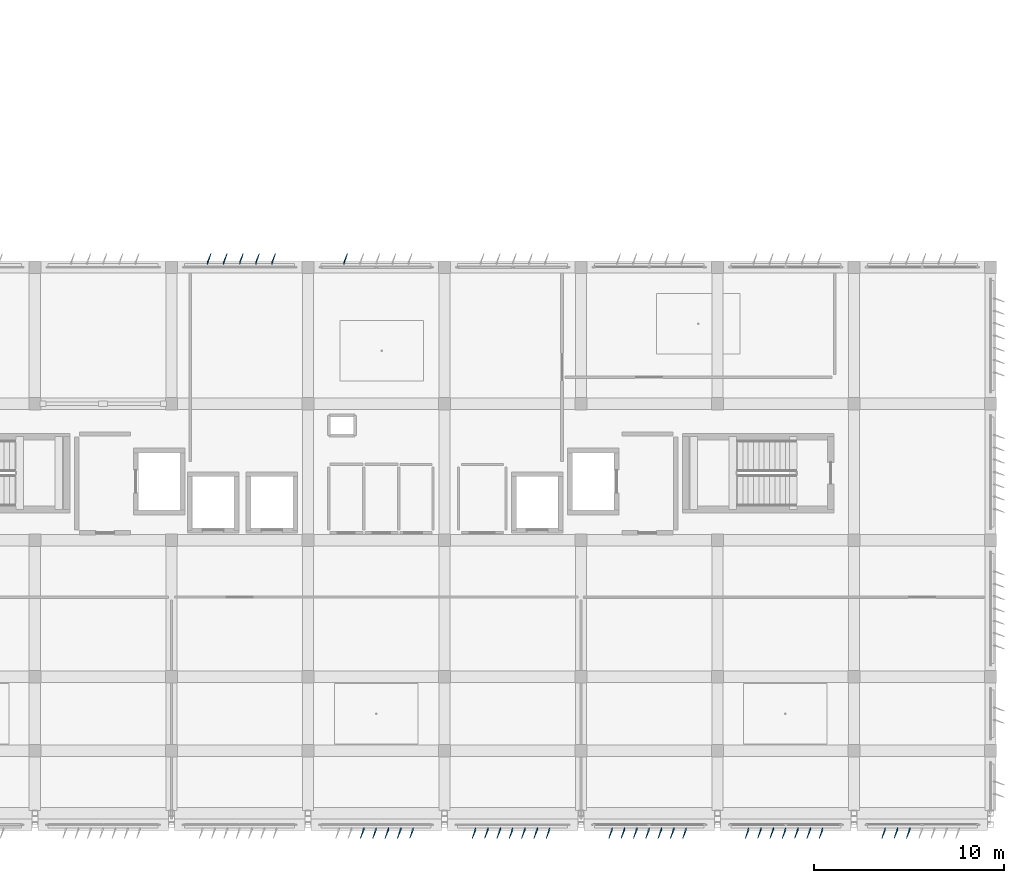
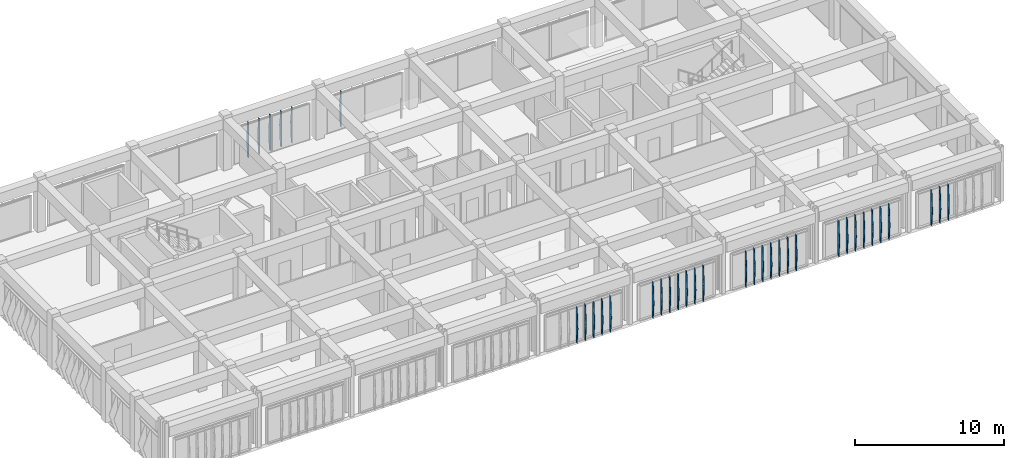
# One storey, part 52 of 56: 35 plates.
"""IFC4 building model written with IfcOpenShell, lengths in metres."""

from ifc_helpers import new_model, si_unit, direction, frame, origin, place, context, subcontext, project, spatial, polygons, material, layer, layer_set, type_object, element, save


model = new_model("IFC4")

# Units and contexts
model_context = context("Model", 3, precision=1e-05, world=origin(), true_north=direction((0.0, 1.0)))
body_context = subcontext(model_context, "Body", "Model", "MODEL_VIEW")
ifc_project = project(units=[si_unit("LENGTHUNIT", "METRE"), si_unit("AREAUNIT", "SQUARE_METRE"), si_unit("VOLUMEUNIT", "CUBIC_METRE"), si_unit("PLANEANGLEUNIT", "RADIAN"), si_unit("MASSUNIT", "GRAM", prefix="KILO")], contexts=[model_context])

# Site, building, storey
site_placement = place(None, origin())
site = spatial("IfcSite", under=ifc_project, at=site_placement, CompositionType="ELEMENT")
building_placement = place(site_placement, origin())
building = spatial("IfcBuilding", under=site, at=building_placement, Name="Kazehaya Institute of Natural Sciences", CompositionType="ELEMENT")
storey_placement = place(building_placement, frame((0.0, 0.0, 28.800048828125)))
storey = spatial("IfcBuildingStorey", under=building, at=storey_placement, Name="L06", CompositionType="ELEMENT", Elevation=28.800048828125)

# Plates
ifc_material = material(Name="Bronze-anodised aluminium alloy A6063S-T5", Category="aluminium")
ifc_layer_1 = layer(ifc_material, 0.02001953125, Name="Bronze-anodised aluminium alloy A6063S-T5", Category="aluminium")
ifc_layer_set_1 = layer_set([ifc_layer_1], Name="Bronze-anodised aluminium alloy A6063S-T5")
plate_type_1 = type_object("IfcPlateType", Name="FIN-DF-N1", PredefinedType="USERDEFINED", material=ifc_layer_set_1)
plate_1_placement = place(storey_placement, origin())
element("IfcPlate", 1, at=plate_1_placement, inside=storey, type_object=plate_type_1, Name="L06 folded diamond-pyramid shading fin FIN-L06-N-0464", ObjectType="SHADING_FIN", PredefinedType="USERDEFINED", context=body_context, shape_type="Tessellation", body=[
    polygons([(78.090087890625, 35.7548828125, 0.0400390625), (78.090087890625, 35.89990234375, 0.0400390625), (78.268798828125, 36.31005859375, 1.5), (78.090087890625, 35.89990234375, 2.9599609375), (78.090087890625, 35.7548828125, 2.9599609375), (78.110107421875, 35.7548828125, 0.0400390625), (78.110107421875, 35.89990234375, 0.0400390625), (78.288818359375, 36.31005859375, 1.5), (78.110107421875, 35.89990234375, 2.9599609375), (78.110107421875, 35.7548828125, 2.9599609375)], [[[1, 5, 4, 3, 2]], [[6, 7, 8, 9, 10]], [[1, 2, 7, 6]], [[2, 3, 8, 7]], [[3, 4, 9, 8]], [[4, 5, 10, 9]], [[5, 1, 6, 10]]], closed=True),
])
plate_2_placement = place(storey_placement, origin())
element("IfcPlate", 2, at=plate_2_placement, inside=storey, type_object=plate_type_1, Name="L06 folded diamond-pyramid shading fin FIN-L06-N-0465", ObjectType="SHADING_FIN", PredefinedType="USERDEFINED", context=body_context, shape_type="Tessellation", body=[
    polygons([(78.93994140625, 35.7548828125, 0.0400390625), (78.93994140625, 35.89990234375, 0.0400390625), (79.11865234375, 36.31005859375, 1.5), (78.93994140625, 35.89990234375, 2.9599609375), (78.93994140625, 35.7548828125, 2.9599609375), (78.9599609375, 35.7548828125, 0.0400390625), (78.9599609375, 35.89990234375, 0.0400390625), (79.138671875, 36.31005859375, 1.5), (78.9599609375, 35.89990234375, 2.9599609375), (78.9599609375, 35.7548828125, 2.9599609375)], [[[1, 5, 4, 3, 2]], [[6, 7, 8, 9, 10]], [[1, 2, 7, 6]], [[2, 3, 8, 7]], [[3, 4, 9, 8]], [[4, 5, 10, 9]], [[5, 1, 6, 10]]], closed=True),
])
plate_3_placement = place(storey_placement, origin())
element("IfcPlate", 3, at=plate_3_placement, inside=storey, type_object=plate_type_1, Name="L06 folded diamond-pyramid shading fin FIN-L06-N-0466", ObjectType="SHADING_FIN", PredefinedType="USERDEFINED", context=body_context, shape_type="Tessellation", body=[
    polygons([(79.7900390625, 35.7548828125, 0.0400390625), (79.7900390625, 35.89990234375, 0.0400390625), (79.96875, 36.31005859375, 1.5), (79.7900390625, 35.89990234375, 2.9599609375), (79.7900390625, 35.7548828125, 2.9599609375), (79.81005859375, 35.7548828125, 0.0400390625), (79.81005859375, 35.89990234375, 0.0400390625), (79.98876953125, 36.31005859375, 1.5), (79.81005859375, 35.89990234375, 2.9599609375), (79.81005859375, 35.7548828125, 2.9599609375)], [[[1, 5, 4, 3, 2]], [[6, 7, 8, 9, 10]], [[1, 2, 7, 6]], [[2, 3, 8, 7]], [[3, 4, 9, 8]], [[4, 5, 10, 9]], [[5, 1, 6, 10]]], closed=True),
])
plate_4_placement = place(storey_placement, origin())
element("IfcPlate", 4, at=plate_4_placement, inside=storey, type_object=plate_type_1, Name="L06 folded diamond-pyramid shading fin FIN-L06-N-0467", ObjectType="SHADING_FIN", PredefinedType="USERDEFINED", context=body_context, shape_type="Tessellation", body=[
    polygons([(80.639892578125, 35.7548828125, 0.0400390625), (80.639892578125, 35.89990234375, 0.0400390625), (80.818603515625, 36.31005859375, 1.5), (80.639892578125, 35.89990234375, 2.9599609375), (80.639892578125, 35.7548828125, 2.9599609375), (80.659912109375, 35.7548828125, 0.0400390625), (80.659912109375, 35.89990234375, 0.0400390625), (80.838623046875, 36.31005859375, 1.5), (80.659912109375, 35.89990234375, 2.9599609375), (80.659912109375, 35.7548828125, 2.9599609375)], [[[1, 5, 4, 3, 2]], [[6, 7, 8, 9, 10]], [[1, 2, 7, 6]], [[2, 3, 8, 7]], [[3, 4, 9, 8]], [[4, 5, 10, 9]], [[5, 1, 6, 10]]], closed=True),
])
plate_5_placement = place(storey_placement, origin())
element("IfcPlate", 5, at=plate_5_placement, inside=storey, type_object=plate_type_1, Name="L06 folded diamond-pyramid shading fin FIN-L06-N-0468", ObjectType="SHADING_FIN", PredefinedType="USERDEFINED", context=body_context, shape_type="Tessellation", body=[
    polygons([(81.489990234375, 35.7548828125, 0.0400390625), (81.489990234375, 35.89990234375, 0.0400390625), (81.668701171875, 36.31005859375, 1.5), (81.489990234375, 35.89990234375, 2.9599609375), (81.489990234375, 35.7548828125, 2.9599609375), (81.510009765625, 35.7548828125, 0.0400390625), (81.510009765625, 35.89990234375, 0.0400390625), (81.688720703125, 36.31005859375, 1.5), (81.510009765625, 35.89990234375, 2.9599609375), (81.510009765625, 35.7548828125, 2.9599609375)], [[[1, 5, 4, 3, 2]], [[6, 7, 8, 9, 10]], [[1, 2, 7, 6]], [[2, 3, 8, 7]], [[3, 4, 9, 8]], [[4, 5, 10, 9]], [[5, 1, 6, 10]]], closed=True),
])
plate_6_placement = place(storey_placement, origin())
element("IfcPlate", 6, at=plate_6_placement, inside=storey, type_object=plate_type_1, Name="L06 folded diamond-pyramid shading fin FIN-L06-N-0469", ObjectType="SHADING_FIN", PredefinedType="USERDEFINED", context=body_context, shape_type="Tessellation", body=[
    polygons([(85.2900390625, 35.7548828125, 0.0400390625), (85.2900390625, 35.89990234375, 0.0400390625), (85.46875, 36.31005859375, 1.5), (85.2900390625, 35.89990234375, 2.9599609375), (85.2900390625, 35.7548828125, 2.9599609375), (85.31005859375, 35.7548828125, 0.0400390625), (85.31005859375, 35.89990234375, 0.0400390625), (85.48876953125, 36.31005859375, 1.5), (85.31005859375, 35.89990234375, 2.9599609375), (85.31005859375, 35.7548828125, 2.9599609375)], [[[1, 5, 4, 3, 2]], [[6, 7, 8, 9, 10]], [[1, 2, 7, 6]], [[2, 3, 8, 7]], [[3, 4, 9, 8]], [[4, 5, 10, 9]], [[5, 1, 6, 10]]], closed=True),
])
ifc_layer_2 = layer(ifc_material, 0.02001953125, Name="Bronze-anodised aluminium alloy A6063S-T5", Category="aluminium")
ifc_layer_set_2 = layer_set([ifc_layer_2], Name="Bronze-anodised aluminium alloy A6063S-T5")
plate_type_2 = type_object("IfcPlateType", Name="FIN-DF-S1", PredefinedType="USERDEFINED", material=ifc_layer_set_2)
plate_7_placement = place(storey_placement, origin())
element("IfcPlate", 7, at=plate_7_placement, inside=storey, type_object=plate_type_2, Name="L06 folded diamond-pyramid shading fin FIN-L06-S-0390", ObjectType="SHADING_FIN", PredefinedType="USERDEFINED", context=body_context, shape_type="Tessellation", body=[
    polygons([(115.159912109375, 6.044921875, 0.0400390625), (115.159912109375, 5.89990234375, 0.0400390625), (114.981201171875, 5.489990234375, 1.5), (115.159912109375, 5.89990234375, 2.9599609375), (115.159912109375, 6.044921875, 2.9599609375), (115.139892578125, 6.044921875, 0.0400390625), (115.139892578125, 5.89990234375, 0.0400390625), (114.961181640625, 5.489990234375, 1.5), (115.139892578125, 5.89990234375, 2.9599609375), (115.139892578125, 6.044921875, 2.9599609375)], [[[1, 5, 4, 3, 2]], [[6, 7, 8, 9, 10]], [[1, 2, 7, 6]], [[2, 3, 8, 7]], [[3, 4, 9, 8]], [[4, 5, 10, 9]], [[5, 1, 6, 10]]], closed=True),
])
plate_8_placement = place(storey_placement, origin())
element("IfcPlate", 8, at=plate_8_placement, inside=storey, type_object=plate_type_2, Name="L06 folded diamond-pyramid shading fin FIN-L06-S-0391", ObjectType="SHADING_FIN", PredefinedType="USERDEFINED", context=body_context, shape_type="Tessellation", body=[
    polygons([(114.510009765625, 6.044921875, 0.0400390625), (114.510009765625, 5.89990234375, 0.0400390625), (114.331298828125, 5.489990234375, 1.5), (114.510009765625, 5.89990234375, 2.9599609375), (114.510009765625, 6.044921875, 2.9599609375), (114.489990234375, 6.044921875, 0.0400390625), (114.489990234375, 5.89990234375, 0.0400390625), (114.311279296875, 5.489990234375, 1.5), (114.489990234375, 5.89990234375, 2.9599609375), (114.489990234375, 6.044921875, 2.9599609375)], [[[1, 5, 4, 3, 2]], [[6, 7, 8, 9, 10]], [[1, 2, 7, 6]], [[2, 3, 8, 7]], [[3, 4, 9, 8]], [[4, 5, 10, 9]], [[5, 1, 6, 10]]], closed=True),
])
plate_9_placement = place(storey_placement, origin())
element("IfcPlate", 9, at=plate_9_placement, inside=storey, type_object=plate_type_2, Name="L06 folded diamond-pyramid shading fin FIN-L06-S-0392", ObjectType="SHADING_FIN", PredefinedType="USERDEFINED", context=body_context, shape_type="Tessellation", body=[
    polygons([(113.860107421875, 6.044921875, 0.0400390625), (113.860107421875, 5.89990234375, 0.0400390625), (113.681396484375, 5.489990234375, 1.5), (113.860107421875, 5.89990234375, 2.9599609375), (113.860107421875, 6.044921875, 2.9599609375), (113.840087890625, 6.044921875, 0.0400390625), (113.840087890625, 5.89990234375, 0.0400390625), (113.661376953125, 5.489990234375, 1.5), (113.840087890625, 5.89990234375, 2.9599609375), (113.840087890625, 6.044921875, 2.9599609375)], [[[1, 5, 4, 3, 2]], [[6, 7, 8, 9, 10]], [[1, 2, 7, 6]], [[2, 3, 8, 7]], [[3, 4, 9, 8]], [[4, 5, 10, 9]], [[5, 1, 6, 10]]], closed=True),
])
plate_10_placement = place(storey_placement, origin())
element("IfcPlate", 10, at=plate_10_placement, inside=storey, type_object=plate_type_2, Name="L06 folded diamond-pyramid shading fin FIN-L06-S-0393", ObjectType="SHADING_FIN", PredefinedType="USERDEFINED", context=body_context, shape_type="Tessellation", body=[
    polygons([(110.56005859375, 6.044921875, 0.0400390625), (110.56005859375, 5.89990234375, 0.0400390625), (110.38134765625, 5.489990234375, 1.5), (110.56005859375, 5.89990234375, 2.9599609375), (110.56005859375, 6.044921875, 2.9599609375), (110.5400390625, 6.044921875, 0.0400390625), (110.5400390625, 5.89990234375, 0.0400390625), (110.361328125, 5.489990234375, 1.5), (110.5400390625, 5.89990234375, 2.9599609375), (110.5400390625, 6.044921875, 2.9599609375)], [[[1, 5, 4, 3, 2]], [[6, 7, 8, 9, 10]], [[1, 2, 7, 6]], [[2, 3, 8, 7]], [[3, 4, 9, 8]], [[4, 5, 10, 9]], [[5, 1, 6, 10]]], closed=True),
])
plate_11_placement = place(storey_placement, origin())
element("IfcPlate", 11, at=plate_11_placement, inside=storey, type_object=plate_type_2, Name="L06 folded diamond-pyramid shading fin FIN-L06-S-0394", ObjectType="SHADING_FIN", PredefinedType="USERDEFINED", context=body_context, shape_type="Tessellation", body=[
    polygons([(109.909912109375, 6.044921875, 0.0400390625), (109.909912109375, 5.89990234375, 0.0400390625), (109.731201171875, 5.489990234375, 1.5), (109.909912109375, 5.89990234375, 2.9599609375), (109.909912109375, 6.044921875, 2.9599609375), (109.889892578125, 6.044921875, 0.0400390625), (109.889892578125, 5.89990234375, 0.0400390625), (109.711181640625, 5.489990234375, 1.5), (109.889892578125, 5.89990234375, 2.9599609375), (109.889892578125, 6.044921875, 2.9599609375)], [[[1, 5, 4, 3, 2]], [[6, 7, 8, 9, 10]], [[1, 2, 7, 6]], [[2, 3, 8, 7]], [[3, 4, 9, 8]], [[4, 5, 10, 9]], [[5, 1, 6, 10]]], closed=True),
])
plate_12_placement = place(storey_placement, origin())
element("IfcPlate", 12, at=plate_12_placement, inside=storey, type_object=plate_type_2, Name="L06 folded diamond-pyramid shading fin FIN-L06-S-0395", ObjectType="SHADING_FIN", PredefinedType="USERDEFINED", context=body_context, shape_type="Tessellation", body=[
    polygons([(109.260009765625, 6.044921875, 0.0400390625), (109.260009765625, 5.89990234375, 0.0400390625), (109.081298828125, 5.489990234375, 1.5), (109.260009765625, 5.89990234375, 2.9599609375), (109.260009765625, 6.044921875, 2.9599609375), (109.239990234375, 6.044921875, 0.0400390625), (109.239990234375, 5.89990234375, 0.0400390625), (109.061279296875, 5.489990234375, 1.5), (109.239990234375, 5.89990234375, 2.9599609375), (109.239990234375, 6.044921875, 2.9599609375)], [[[1, 5, 4, 3, 2]], [[6, 7, 8, 9, 10]], [[1, 2, 7, 6]], [[2, 3, 8, 7]], [[3, 4, 9, 8]], [[4, 5, 10, 9]], [[5, 1, 6, 10]]], closed=True),
])
plate_13_placement = place(storey_placement, origin())
element("IfcPlate", 13, at=plate_13_placement, inside=storey, type_object=plate_type_2, Name="L06 folded diamond-pyramid shading fin FIN-L06-S-0396", ObjectType="SHADING_FIN", PredefinedType="USERDEFINED", context=body_context, shape_type="Tessellation", body=[
    polygons([(108.610107421875, 6.044921875, 0.0400390625), (108.610107421875, 5.89990234375, 0.0400390625), (108.431396484375, 5.489990234375, 1.5), (108.610107421875, 5.89990234375, 2.9599609375), (108.610107421875, 6.044921875, 2.9599609375), (108.590087890625, 6.044921875, 0.0400390625), (108.590087890625, 5.89990234375, 0.0400390625), (108.411376953125, 5.489990234375, 1.5), (108.590087890625, 5.89990234375, 2.9599609375), (108.590087890625, 6.044921875, 2.9599609375)], [[[1, 5, 4, 3, 2]], [[6, 7, 8, 9, 10]], [[1, 2, 7, 6]], [[2, 3, 8, 7]], [[3, 4, 9, 8]], [[4, 5, 10, 9]], [[5, 1, 6, 10]]], closed=True),
])
plate_14_placement = place(storey_placement, origin())
element("IfcPlate", 14, at=plate_14_placement, inside=storey, type_object=plate_type_2, Name="L06 folded diamond-pyramid shading fin FIN-L06-S-0397", ObjectType="SHADING_FIN", PredefinedType="USERDEFINED", context=body_context, shape_type="Tessellation", body=[
    polygons([(107.9599609375, 6.044921875, 0.0400390625), (107.9599609375, 5.89990234375, 0.0400390625), (107.78125, 5.489990234375, 1.5), (107.9599609375, 5.89990234375, 2.9599609375), (107.9599609375, 6.044921875, 2.9599609375), (107.93994140625, 6.044921875, 0.0400390625), (107.93994140625, 5.89990234375, 0.0400390625), (107.76123046875, 5.489990234375, 1.5), (107.93994140625, 5.89990234375, 2.9599609375), (107.93994140625, 6.044921875, 2.9599609375)], [[[1, 5, 4, 3, 2]], [[6, 7, 8, 9, 10]], [[1, 2, 7, 6]], [[2, 3, 8, 7]], [[3, 4, 9, 8]], [[4, 5, 10, 9]], [[5, 1, 6, 10]]], closed=True),
])
plate_15_placement = place(storey_placement, origin())
element("IfcPlate", 15, at=plate_15_placement, inside=storey, type_object=plate_type_2, Name="L06 folded diamond-pyramid shading fin FIN-L06-S-0398", ObjectType="SHADING_FIN", PredefinedType="USERDEFINED", context=body_context, shape_type="Tessellation", body=[
    polygons([(107.31005859375, 6.044921875, 0.0400390625), (107.31005859375, 5.89990234375, 0.0400390625), (107.13134765625, 5.489990234375, 1.5), (107.31005859375, 5.89990234375, 2.9599609375), (107.31005859375, 6.044921875, 2.9599609375), (107.2900390625, 6.044921875, 0.0400390625), (107.2900390625, 5.89990234375, 0.0400390625), (107.111328125, 5.489990234375, 1.5), (107.2900390625, 5.89990234375, 2.9599609375), (107.2900390625, 6.044921875, 2.9599609375)], [[[1, 5, 4, 3, 2]], [[6, 7, 8, 9, 10]], [[1, 2, 7, 6]], [[2, 3, 8, 7]], [[3, 4, 9, 8]], [[4, 5, 10, 9]], [[5, 1, 6, 10]]], closed=True),
])
plate_16_placement = place(storey_placement, origin())
element("IfcPlate", 16, at=plate_16_placement, inside=storey, type_object=plate_type_2, Name="L06 folded diamond-pyramid shading fin FIN-L06-S-0399", ObjectType="SHADING_FIN", PredefinedType="USERDEFINED", context=body_context, shape_type="Tessellation", body=[
    polygons([(106.659912109375, 6.044921875, 0.0400390625), (106.659912109375, 5.89990234375, 0.0400390625), (106.481201171875, 5.489990234375, 1.5), (106.659912109375, 5.89990234375, 2.9599609375), (106.659912109375, 6.044921875, 2.9599609375), (106.639892578125, 6.044921875, 0.0400390625), (106.639892578125, 5.89990234375, 0.0400390625), (106.461181640625, 5.489990234375, 1.5), (106.639892578125, 5.89990234375, 2.9599609375), (106.639892578125, 6.044921875, 2.9599609375)], [[[1, 5, 4, 3, 2]], [[6, 7, 8, 9, 10]], [[1, 2, 7, 6]], [[2, 3, 8, 7]], [[3, 4, 9, 8]], [[4, 5, 10, 9]], [[5, 1, 6, 10]]], closed=True),
])
plate_17_placement = place(storey_placement, origin())
element("IfcPlate", 17, at=plate_17_placement, inside=storey, type_object=plate_type_2, Name="L06 folded diamond-pyramid shading fin FIN-L06-S-0400", ObjectType="SHADING_FIN", PredefinedType="USERDEFINED", context=body_context, shape_type="Tessellation", body=[
    polygons([(103.360107421875, 6.044921875, 0.0400390625), (103.360107421875, 5.89990234375, 0.0400390625), (103.181396484375, 5.489990234375, 1.5), (103.360107421875, 5.89990234375, 2.9599609375), (103.360107421875, 6.044921875, 2.9599609375), (103.340087890625, 6.044921875, 0.0400390625), (103.340087890625, 5.89990234375, 0.0400390625), (103.161376953125, 5.489990234375, 1.5), (103.340087890625, 5.89990234375, 2.9599609375), (103.340087890625, 6.044921875, 2.9599609375)], [[[1, 5, 4, 3, 2]], [[6, 7, 8, 9, 10]], [[1, 2, 7, 6]], [[2, 3, 8, 7]], [[3, 4, 9, 8]], [[4, 5, 10, 9]], [[5, 1, 6, 10]]], closed=True),
])
plate_18_placement = place(storey_placement, origin())
element("IfcPlate", 18, at=plate_18_placement, inside=storey, type_object=plate_type_2, Name="L06 folded diamond-pyramid shading fin FIN-L06-S-0401", ObjectType="SHADING_FIN", PredefinedType="USERDEFINED", context=body_context, shape_type="Tessellation", body=[
    polygons([(102.7099609375, 6.044921875, 0.0400390625), (102.7099609375, 5.89990234375, 0.0400390625), (102.53125, 5.489990234375, 1.5), (102.7099609375, 5.89990234375, 2.9599609375), (102.7099609375, 6.044921875, 2.9599609375), (102.68994140625, 6.044921875, 0.0400390625), (102.68994140625, 5.89990234375, 0.0400390625), (102.51123046875, 5.489990234375, 1.5), (102.68994140625, 5.89990234375, 2.9599609375), (102.68994140625, 6.044921875, 2.9599609375)], [[[1, 5, 4, 3, 2]], [[6, 7, 8, 9, 10]], [[1, 2, 7, 6]], [[2, 3, 8, 7]], [[3, 4, 9, 8]], [[4, 5, 10, 9]], [[5, 1, 6, 10]]], closed=True),
])
plate_19_placement = place(storey_placement, origin())
element("IfcPlate", 19, at=plate_19_placement, inside=storey, type_object=plate_type_2, Name="L06 folded diamond-pyramid shading fin FIN-L06-S-0402", ObjectType="SHADING_FIN", PredefinedType="USERDEFINED", context=body_context, shape_type="Tessellation", body=[
    polygons([(102.06005859375, 6.044921875, 0.0400390625), (102.06005859375, 5.89990234375, 0.0400390625), (101.88134765625, 5.489990234375, 1.5), (102.06005859375, 5.89990234375, 2.9599609375), (102.06005859375, 6.044921875, 2.9599609375), (102.0400390625, 6.044921875, 0.0400390625), (102.0400390625, 5.89990234375, 0.0400390625), (101.861328125, 5.489990234375, 1.5), (102.0400390625, 5.89990234375, 2.9599609375), (102.0400390625, 6.044921875, 2.9599609375)], [[[1, 5, 4, 3, 2]], [[6, 7, 8, 9, 10]], [[1, 2, 7, 6]], [[2, 3, 8, 7]], [[3, 4, 9, 8]], [[4, 5, 10, 9]], [[5, 1, 6, 10]]], closed=True),
])
plate_20_placement = place(storey_placement, origin())
element("IfcPlate", 20, at=plate_20_placement, inside=storey, type_object=plate_type_2, Name="L06 folded diamond-pyramid shading fin FIN-L06-S-0403", ObjectType="SHADING_FIN", PredefinedType="USERDEFINED", context=body_context, shape_type="Tessellation", body=[
    polygons([(101.409912109375, 6.044921875, 0.0400390625), (101.409912109375, 5.89990234375, 0.0400390625), (101.231201171875, 5.489990234375, 1.5), (101.409912109375, 5.89990234375, 2.9599609375), (101.409912109375, 6.044921875, 2.9599609375), (101.389892578125, 6.044921875, 0.0400390625), (101.389892578125, 5.89990234375, 0.0400390625), (101.211181640625, 5.489990234375, 1.5), (101.389892578125, 5.89990234375, 2.9599609375), (101.389892578125, 6.044921875, 2.9599609375)], [[[1, 5, 4, 3, 2]], [[6, 7, 8, 9, 10]], [[1, 2, 7, 6]], [[2, 3, 8, 7]], [[3, 4, 9, 8]], [[4, 5, 10, 9]], [[5, 1, 6, 10]]], closed=True),
])
plate_21_placement = place(storey_placement, origin())
element("IfcPlate", 21, at=plate_21_placement, inside=storey, type_object=plate_type_2, Name="L06 folded diamond-pyramid shading fin FIN-L06-S-0404", ObjectType="SHADING_FIN", PredefinedType="USERDEFINED", context=body_context, shape_type="Tessellation", body=[
    polygons([(100.760009765625, 6.044921875, 0.0400390625), (100.760009765625, 5.89990234375, 0.0400390625), (100.581298828125, 5.489990234375, 1.5), (100.760009765625, 5.89990234375, 2.9599609375), (100.760009765625, 6.044921875, 2.9599609375), (100.739990234375, 6.044921875, 0.0400390625), (100.739990234375, 5.89990234375, 0.0400390625), (100.561279296875, 5.489990234375, 1.5), (100.739990234375, 5.89990234375, 2.9599609375), (100.739990234375, 6.044921875, 2.9599609375)], [[[1, 5, 4, 3, 2]], [[6, 7, 8, 9, 10]], [[1, 2, 7, 6]], [[2, 3, 8, 7]], [[3, 4, 9, 8]], [[4, 5, 10, 9]], [[5, 1, 6, 10]]], closed=True),
])
plate_22_placement = place(storey_placement, origin())
element("IfcPlate", 22, at=plate_22_placement, inside=storey, type_object=plate_type_2, Name="L06 folded diamond-pyramid shading fin FIN-L06-S-0405", ObjectType="SHADING_FIN", PredefinedType="USERDEFINED", context=body_context, shape_type="Tessellation", body=[
    polygons([(100.110107421875, 6.044921875, 0.0400390625), (100.110107421875, 5.89990234375, 0.0400390625), (99.931396484375, 5.489990234375, 1.5), (100.110107421875, 5.89990234375, 2.9599609375), (100.110107421875, 6.044921875, 2.9599609375), (100.090087890625, 6.044921875, 0.0400390625), (100.090087890625, 5.89990234375, 0.0400390625), (99.911376953125, 5.489990234375, 1.5), (100.090087890625, 5.89990234375, 2.9599609375), (100.090087890625, 6.044921875, 2.9599609375)], [[[1, 5, 4, 3, 2]], [[6, 7, 8, 9, 10]], [[1, 2, 7, 6]], [[2, 3, 8, 7]], [[3, 4, 9, 8]], [[4, 5, 10, 9]], [[5, 1, 6, 10]]], closed=True),
])
plate_23_placement = place(storey_placement, origin())
element("IfcPlate", 23, at=plate_23_placement, inside=storey, type_object=plate_type_2, Name="L06 folded diamond-pyramid shading fin FIN-L06-S-0406", ObjectType="SHADING_FIN", PredefinedType="USERDEFINED", context=body_context, shape_type="Tessellation", body=[
    polygons([(99.4599609375, 6.044921875, 0.0400390625), (99.4599609375, 5.89990234375, 0.0400390625), (99.28125, 5.489990234375, 1.5), (99.4599609375, 5.89990234375, 2.9599609375), (99.4599609375, 6.044921875, 2.9599609375), (99.43994140625, 6.044921875, 0.0400390625), (99.43994140625, 5.89990234375, 0.0400390625), (99.26123046875, 5.489990234375, 1.5), (99.43994140625, 5.89990234375, 2.9599609375), (99.43994140625, 6.044921875, 2.9599609375)], [[[1, 5, 4, 3, 2]], [[6, 7, 8, 9, 10]], [[1, 2, 7, 6]], [[2, 3, 8, 7]], [[3, 4, 9, 8]], [[4, 5, 10, 9]], [[5, 1, 6, 10]]], closed=True),
])
plate_24_placement = place(storey_placement, origin())
element("IfcPlate", 24, at=plate_24_placement, inside=storey, type_object=plate_type_2, Name="L06 folded diamond-pyramid shading fin FIN-L06-S-0407", ObjectType="SHADING_FIN", PredefinedType="USERDEFINED", context=body_context, shape_type="Tessellation", body=[
    polygons([(96.159912109375, 6.044921875, 0.0400390625), (96.159912109375, 5.89990234375, 0.0400390625), (95.981201171875, 5.489990234375, 1.5), (96.159912109375, 5.89990234375, 2.9599609375), (96.159912109375, 6.044921875, 2.9599609375), (96.139892578125, 6.044921875, 0.0400390625), (96.139892578125, 5.89990234375, 0.0400390625), (95.961181640625, 5.489990234375, 1.5), (96.139892578125, 5.89990234375, 2.9599609375), (96.139892578125, 6.044921875, 2.9599609375)], [[[1, 5, 4, 3, 2]], [[6, 7, 8, 9, 10]], [[1, 2, 7, 6]], [[2, 3, 8, 7]], [[3, 4, 9, 8]], [[4, 5, 10, 9]], [[5, 1, 6, 10]]], closed=True),
])
plate_25_placement = place(storey_placement, origin())
element("IfcPlate", 25, at=plate_25_placement, inside=storey, type_object=plate_type_2, Name="L06 folded diamond-pyramid shading fin FIN-L06-S-0408", ObjectType="SHADING_FIN", PredefinedType="USERDEFINED", context=body_context, shape_type="Tessellation", body=[
    polygons([(95.510009765625, 6.044921875, 0.0400390625), (95.510009765625, 5.89990234375, 0.0400390625), (95.331298828125, 5.489990234375, 1.5), (95.510009765625, 5.89990234375, 2.9599609375), (95.510009765625, 6.044921875, 2.9599609375), (95.489990234375, 6.044921875, 0.0400390625), (95.489990234375, 5.89990234375, 0.0400390625), (95.311279296875, 5.489990234375, 1.5), (95.489990234375, 5.89990234375, 2.9599609375), (95.489990234375, 6.044921875, 2.9599609375)], [[[1, 5, 4, 3, 2]], [[6, 7, 8, 9, 10]], [[1, 2, 7, 6]], [[2, 3, 8, 7]], [[3, 4, 9, 8]], [[4, 5, 10, 9]], [[5, 1, 6, 10]]], closed=True),
])
plate_26_placement = place(storey_placement, origin())
element("IfcPlate", 26, at=plate_26_placement, inside=storey, type_object=plate_type_2, Name="L06 folded diamond-pyramid shading fin FIN-L06-S-0409", ObjectType="SHADING_FIN", PredefinedType="USERDEFINED", context=body_context, shape_type="Tessellation", body=[
    polygons([(94.860107421875, 6.044921875, 0.0400390625), (94.860107421875, 5.89990234375, 0.0400390625), (94.681396484375, 5.489990234375, 1.5), (94.860107421875, 5.89990234375, 2.9599609375), (94.860107421875, 6.044921875, 2.9599609375), (94.840087890625, 6.044921875, 0.0400390625), (94.840087890625, 5.89990234375, 0.0400390625), (94.661376953125, 5.489990234375, 1.5), (94.840087890625, 5.89990234375, 2.9599609375), (94.840087890625, 6.044921875, 2.9599609375)], [[[1, 5, 4, 3, 2]], [[6, 7, 8, 9, 10]], [[1, 2, 7, 6]], [[2, 3, 8, 7]], [[3, 4, 9, 8]], [[4, 5, 10, 9]], [[5, 1, 6, 10]]], closed=True),
])
plate_27_placement = place(storey_placement, origin())
element("IfcPlate", 27, at=plate_27_placement, inside=storey, type_object=plate_type_2, Name="L06 folded diamond-pyramid shading fin FIN-L06-S-0410", ObjectType="SHADING_FIN", PredefinedType="USERDEFINED", context=body_context, shape_type="Tessellation", body=[
    polygons([(94.2099609375, 6.044921875, 0.0400390625), (94.2099609375, 5.89990234375, 0.0400390625), (94.03125, 5.489990234375, 1.5), (94.2099609375, 5.89990234375, 2.9599609375), (94.2099609375, 6.044921875, 2.9599609375), (94.18994140625, 6.044921875, 0.0400390625), (94.18994140625, 5.89990234375, 0.0400390625), (94.01123046875, 5.489990234375, 1.5), (94.18994140625, 5.89990234375, 2.9599609375), (94.18994140625, 6.044921875, 2.9599609375)], [[[1, 5, 4, 3, 2]], [[6, 7, 8, 9, 10]], [[1, 2, 7, 6]], [[2, 3, 8, 7]], [[3, 4, 9, 8]], [[4, 5, 10, 9]], [[5, 1, 6, 10]]], closed=True),
])
plate_28_placement = place(storey_placement, origin())
element("IfcPlate", 28, at=plate_28_placement, inside=storey, type_object=plate_type_2, Name="L06 folded diamond-pyramid shading fin FIN-L06-S-0411", ObjectType="SHADING_FIN", PredefinedType="USERDEFINED", context=body_context, shape_type="Tessellation", body=[
    polygons([(93.56005859375, 6.044921875, 0.0400390625), (93.56005859375, 5.89990234375, 0.0400390625), (93.38134765625, 5.489990234375, 1.5), (93.56005859375, 5.89990234375, 2.9599609375), (93.56005859375, 6.044921875, 2.9599609375), (93.5400390625, 6.044921875, 0.0400390625), (93.5400390625, 5.89990234375, 0.0400390625), (93.361328125, 5.489990234375, 1.5), (93.5400390625, 5.89990234375, 2.9599609375), (93.5400390625, 6.044921875, 2.9599609375)], [[[1, 5, 4, 3, 2]], [[6, 7, 8, 9, 10]], [[1, 2, 7, 6]], [[2, 3, 8, 7]], [[3, 4, 9, 8]], [[4, 5, 10, 9]], [[5, 1, 6, 10]]], closed=True),
])
plate_29_placement = place(storey_placement, origin())
element("IfcPlate", 29, at=plate_29_placement, inside=storey, type_object=plate_type_2, Name="L06 folded diamond-pyramid shading fin FIN-L06-S-0412", ObjectType="SHADING_FIN", PredefinedType="USERDEFINED", context=body_context, shape_type="Tessellation", body=[
    polygons([(92.909912109375, 6.044921875, 0.0400390625), (92.909912109375, 5.89990234375, 0.0400390625), (92.731201171875, 5.489990234375, 1.5), (92.909912109375, 5.89990234375, 2.9599609375), (92.909912109375, 6.044921875, 2.9599609375), (92.889892578125, 6.044921875, 0.0400390625), (92.889892578125, 5.89990234375, 0.0400390625), (92.711181640625, 5.489990234375, 1.5), (92.889892578125, 5.89990234375, 2.9599609375), (92.889892578125, 6.044921875, 2.9599609375)], [[[1, 5, 4, 3, 2]], [[6, 7, 8, 9, 10]], [[1, 2, 7, 6]], [[2, 3, 8, 7]], [[3, 4, 9, 8]], [[4, 5, 10, 9]], [[5, 1, 6, 10]]], closed=True),
])
plate_30_placement = place(storey_placement, origin())
element("IfcPlate", 30, at=plate_30_placement, inside=storey, type_object=plate_type_2, Name="L06 folded diamond-pyramid shading fin FIN-L06-S-0413", ObjectType="SHADING_FIN", PredefinedType="USERDEFINED", context=body_context, shape_type="Tessellation", body=[
    polygons([(92.260009765625, 6.044921875, 0.0400390625), (92.260009765625, 5.89990234375, 0.0400390625), (92.081298828125, 5.489990234375, 1.5), (92.260009765625, 5.89990234375, 2.9599609375), (92.260009765625, 6.044921875, 2.9599609375), (92.239990234375, 6.044921875, 0.0400390625), (92.239990234375, 5.89990234375, 0.0400390625), (92.061279296875, 5.489990234375, 1.5), (92.239990234375, 5.89990234375, 2.9599609375), (92.239990234375, 6.044921875, 2.9599609375)], [[[1, 5, 4, 3, 2]], [[6, 7, 8, 9, 10]], [[1, 2, 7, 6]], [[2, 3, 8, 7]], [[3, 4, 9, 8]], [[4, 5, 10, 9]], [[5, 1, 6, 10]]], closed=True),
])
plate_31_placement = place(storey_placement, origin())
element("IfcPlate", 31, at=plate_31_placement, inside=storey, type_object=plate_type_2, Name="L06 folded diamond-pyramid shading fin FIN-L06-S-0414", ObjectType="SHADING_FIN", PredefinedType="USERDEFINED", context=body_context, shape_type="Tessellation", body=[
    polygons([(88.9599609375, 6.044921875, 0.0400390625), (88.9599609375, 5.89990234375, 0.0400390625), (88.78125, 5.489990234375, 1.5), (88.9599609375, 5.89990234375, 2.9599609375), (88.9599609375, 6.044921875, 2.9599609375), (88.93994140625, 6.044921875, 0.0400390625), (88.93994140625, 5.89990234375, 0.0400390625), (88.76123046875, 5.489990234375, 1.5), (88.93994140625, 5.89990234375, 2.9599609375), (88.93994140625, 6.044921875, 2.9599609375)], [[[1, 5, 4, 3, 2]], [[6, 7, 8, 9, 10]], [[1, 2, 7, 6]], [[2, 3, 8, 7]], [[3, 4, 9, 8]], [[4, 5, 10, 9]], [[5, 1, 6, 10]]], closed=True),
])
plate_32_placement = place(storey_placement, origin())
element("IfcPlate", 32, at=plate_32_placement, inside=storey, type_object=plate_type_2, Name="L06 folded diamond-pyramid shading fin FIN-L06-S-0415", ObjectType="SHADING_FIN", PredefinedType="USERDEFINED", context=body_context, shape_type="Tessellation", body=[
    polygons([(88.31005859375, 6.044921875, 0.0400390625), (88.31005859375, 5.89990234375, 0.0400390625), (88.13134765625, 5.489990234375, 1.5), (88.31005859375, 5.89990234375, 2.9599609375), (88.31005859375, 6.044921875, 2.9599609375), (88.2900390625, 6.044921875, 0.0400390625), (88.2900390625, 5.89990234375, 0.0400390625), (88.111328125, 5.489990234375, 1.5), (88.2900390625, 5.89990234375, 2.9599609375), (88.2900390625, 6.044921875, 2.9599609375)], [[[1, 5, 4, 3, 2]], [[6, 7, 8, 9, 10]], [[1, 2, 7, 6]], [[2, 3, 8, 7]], [[3, 4, 9, 8]], [[4, 5, 10, 9]], [[5, 1, 6, 10]]], closed=True),
])
plate_33_placement = place(storey_placement, origin())
element("IfcPlate", 33, at=plate_33_placement, inside=storey, type_object=plate_type_2, Name="L06 folded diamond-pyramid shading fin FIN-L06-S-0416", ObjectType="SHADING_FIN", PredefinedType="USERDEFINED", context=body_context, shape_type="Tessellation", body=[
    polygons([(87.659912109375, 6.044921875, 0.0400390625), (87.659912109375, 5.89990234375, 0.0400390625), (87.481201171875, 5.489990234375, 1.5), (87.659912109375, 5.89990234375, 2.9599609375), (87.659912109375, 6.044921875, 2.9599609375), (87.639892578125, 6.044921875, 0.0400390625), (87.639892578125, 5.89990234375, 0.0400390625), (87.461181640625, 5.489990234375, 1.5), (87.639892578125, 5.89990234375, 2.9599609375), (87.639892578125, 6.044921875, 2.9599609375)], [[[1, 5, 4, 3, 2]], [[6, 7, 8, 9, 10]], [[1, 2, 7, 6]], [[2, 3, 8, 7]], [[3, 4, 9, 8]], [[4, 5, 10, 9]], [[5, 1, 6, 10]]], closed=True),
])
plate_34_placement = place(storey_placement, origin())
element("IfcPlate", 34, at=plate_34_placement, inside=storey, type_object=plate_type_2, Name="L06 folded diamond-pyramid shading fin FIN-L06-S-0417", ObjectType="SHADING_FIN", PredefinedType="USERDEFINED", context=body_context, shape_type="Tessellation", body=[
    polygons([(87.010009765625, 6.044921875, 0.0400390625), (87.010009765625, 5.89990234375, 0.0400390625), (86.831298828125, 5.489990234375, 1.5), (87.010009765625, 5.89990234375, 2.9599609375), (87.010009765625, 6.044921875, 2.9599609375), (86.989990234375, 6.044921875, 0.0400390625), (86.989990234375, 5.89990234375, 0.0400390625), (86.811279296875, 5.489990234375, 1.5), (86.989990234375, 5.89990234375, 2.9599609375), (86.989990234375, 6.044921875, 2.9599609375)], [[[1, 5, 4, 3, 2]], [[6, 7, 8, 9, 10]], [[1, 2, 7, 6]], [[2, 3, 8, 7]], [[3, 4, 9, 8]], [[4, 5, 10, 9]], [[5, 1, 6, 10]]], closed=True),
])
plate_35_placement = place(storey_placement, origin())
element("IfcPlate", 35, at=plate_35_placement, inside=storey, type_object=plate_type_2, Name="L06 folded diamond-pyramid shading fin FIN-L06-S-0418", ObjectType="SHADING_FIN", PredefinedType="USERDEFINED", context=body_context, shape_type="Tessellation", body=[
    polygons([(86.360107421875, 6.044921875, 0.0400390625), (86.360107421875, 5.89990234375, 0.0400390625), (86.181396484375, 5.489990234375, 1.5), (86.360107421875, 5.89990234375, 2.9599609375), (86.360107421875, 6.044921875, 2.9599609375), (86.340087890625, 6.044921875, 0.0400390625), (86.340087890625, 5.89990234375, 0.0400390625), (86.161376953125, 5.489990234375, 1.5), (86.340087890625, 5.89990234375, 2.9599609375), (86.340087890625, 6.044921875, 2.9599609375)], [[[1, 5, 4, 3, 2]], [[6, 7, 8, 9, 10]], [[1, 2, 7, 6]], [[2, 3, 8, 7]], [[3, 4, 9, 8]], [[4, 5, 10, 9]], [[5, 1, 6, 10]]], closed=True),
])

save(model, "model.ifc")
